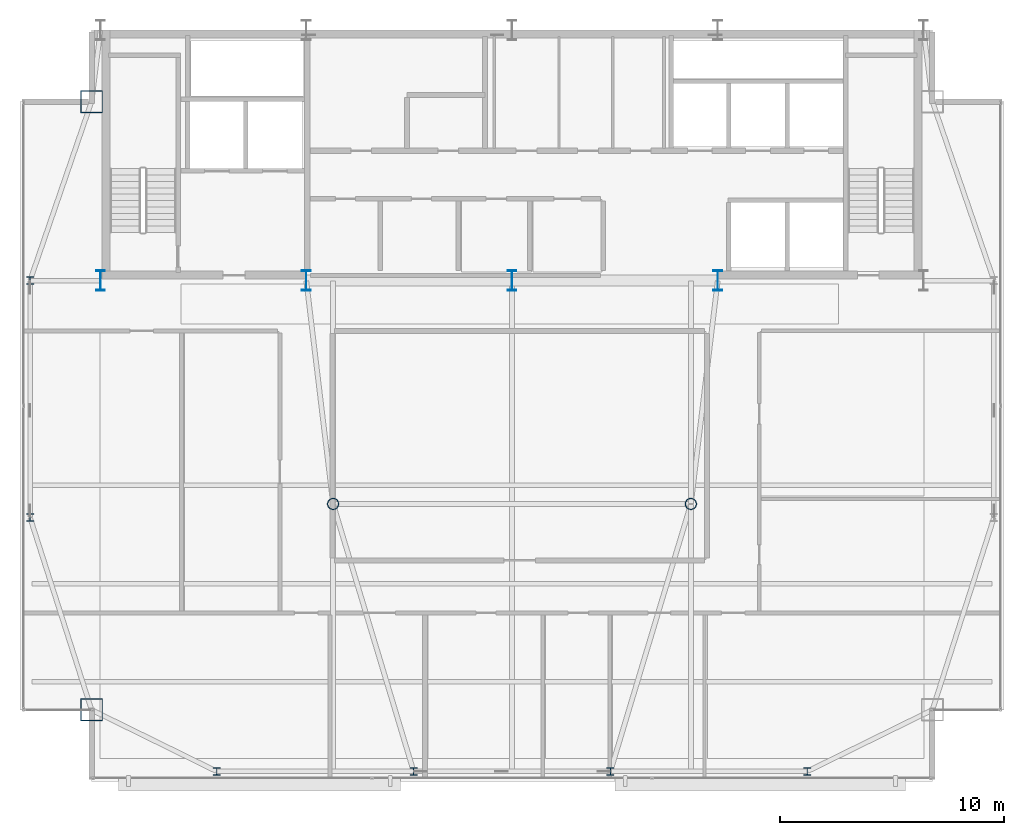
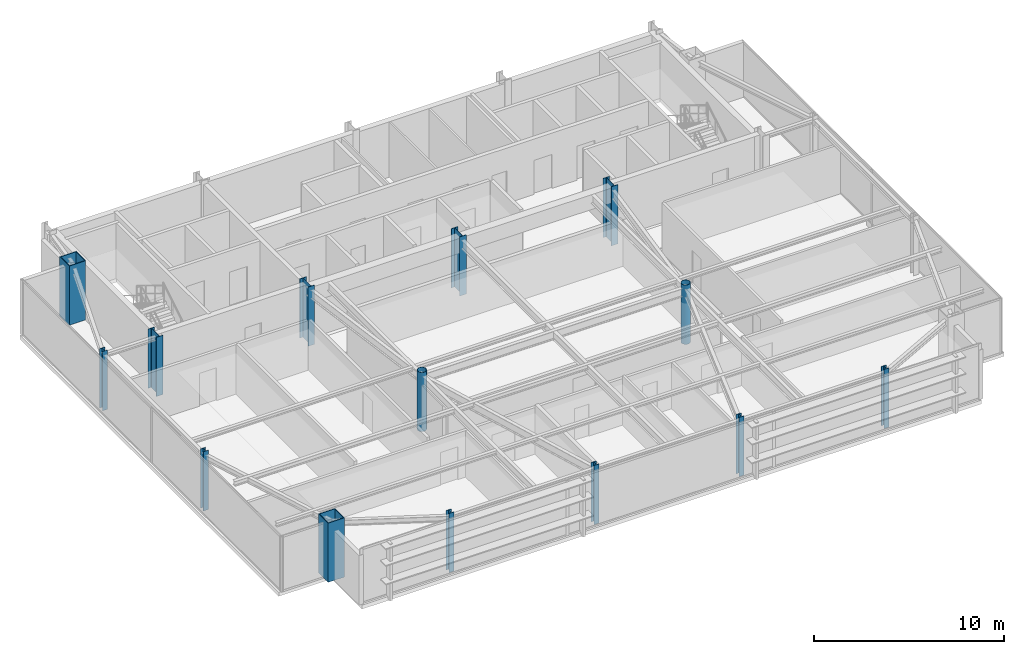
# One storey, part 1 of 24: 14 columns.
"""IFC4 building model written with IfcOpenShell, lengths in metres."""

from ifc_helpers import new_model, si_unit, direction, frame, origin, origin_2d, place, context, subcontext, project, spatial, hollow_rectangle, hollow_circle, i_section, extrude, source, transform, mapped, material, material_profile, profile_set, type_object, type_shapes, element, save


model = new_model("IFC4")

# Units and contexts
model_context = context("Model", 3, precision=1e-05, world=origin(), true_north=direction((0.0, 1.0)))
body_context = subcontext(model_context, "Body", "Model", "MODEL_VIEW")
ifc_project = project(units=[si_unit("LENGTHUNIT", "METRE"), si_unit("AREAUNIT", "SQUARE_METRE"), si_unit("VOLUMEUNIT", "CUBIC_METRE"), si_unit("PLANEANGLEUNIT", "RADIAN"), si_unit("MASSUNIT", "GRAM", prefix="KILO")], contexts=[model_context])

# Site, building, storey
site_placement = place(None, origin())
site = spatial("IfcSite", under=ifc_project, at=site_placement, CompositionType="ELEMENT")
building_placement = place(site_placement, origin())
building = spatial("IfcBuilding", under=site, at=building_placement, Name="Varnel Quay Broadcast Tower", CompositionType="ELEMENT")
storey_placement = place(building_placement, frame((0.0, 0.0, 292.60009765625)))
storey = spatial("IfcBuildingStorey", under=building, at=storey_placement, Name="L73", CompositionType="ELEMENT", Elevation=292.60009765625)

# Columns
ifc_material_1 = material(Name="Structural Steel CSA G40.21 350WT", Category="steel")
ifc_material_profile_1 = material_profile(ifc_material_1, i_section(OverallWidth=0.39990234375, OverallDepth=0.89990234375, WebThickness=0.01611328125, FlangeThickness=0.028076171875, FilletRadius=0.01611328125, at=origin_2d()), Name="WWF900X309")
ifc_profile_set_1 = profile_set([ifc_material_profile_1], Name="Structural Steel CSA G40.21 350WT")
column_type_1 = type_object("IfcColumnType", Name="Col_WWF900X309", PredefinedType="COLUMN", material=ifc_profile_set_1)
shared_shape_1 = source(origin(), body_context, "Body", "SweptSolid", [
    extrude(i_section(OverallWidth=0.39990234375, OverallDepth=0.89990234375, WebThickness=0.01611328125, FlangeThickness=0.028076171875, FilletRadius=0.01611328125, at=origin_2d()), origin(), (0.0, 0.0, 1.0), 3.7998046875),
])
type_shapes(column_type_1, [shared_shape_1])
for number, where, z_axis, x_axis, name in (
    (1, (15.60009765625, 35.60009765625, 0.0), (0.0, 0.0, 1.0), (1.0, 0.0, 0.0), "L73 Column CC-S1"),
    (2, (24.800048828125, 35.60009765625, 0.0), (0.0, 0.0, 1.0), (1.0, 0.0, 0.0), "L73 Column CC-S2"),
    (3, (34.0, 35.60009765625, 0.0), (0.0, 0.0, 1.0), (1.0, 0.0, 0.0), "L73 Column CC-S3"),
    (4, (43.199951171875, 35.60009765625, 0.0), (0.0, 0.0, 1.0), (1.0, 0.0, 0.0), "L73 Column CC-S4"),
):
    element("IfcColumn", number, at=place(storey_placement, frame(where, z_axis=z_axis, x_axis=x_axis)), inside=storey, type_object=column_type_1, Name=name, PredefinedType="COLUMN", context=body_context, shape_type="MappedRepresentation", body=[
        mapped(shared_shape_1, transform((0.0, 0.0, 0.0), x_axis=(1.0, 0.0, 0.0), y_axis=(0.0, 1.0, 0.0), z_axis=(0.0, 0.0, 1.0), scale=1.0)),
    ])
ifc_material_profile_2 = material_profile(ifc_material_1, hollow_rectangle(XDim=1.0, YDim=1.0, WallThickness=0.0400390625, at=origin_2d()), Name="BOX1000X1000X40")
ifc_profile_set_2 = profile_set([ifc_material_profile_2], Name="Structural Steel CSA G40.21 350WT")
column_type_2 = type_object("IfcColumnType", Name="Col_BOX1000X1000X40", PredefinedType="COLUMN", material=ifc_profile_set_2)
shared_shape_2 = source(origin(), body_context, "Body", "SweptSolid", [
    extrude(hollow_rectangle(XDim=1.0, YDim=1.0, WallThickness=0.0400390625, at=origin_2d()), origin(), (0.0, 0.0, 1.0), 3.7998046875),
])
type_shapes(column_type_2, [shared_shape_2])
for number, where, z_axis, x_axis, name in (
    (5, (15.199951171875, 16.39990234375, 0.0), (0.0, 0.0, 1.0), (1.0, 0.0, 0.0), "L73 Column MC-SW"),
    (6, (15.199951171875, 43.60009765625, 0.0), (0.0, 0.0, 1.0), (1.0, 0.0, 0.0), "L73 Column MC-NW"),
):
    element("IfcColumn", number, at=place(storey_placement, frame(where, z_axis=z_axis, x_axis=x_axis)), inside=storey, type_object=column_type_2, Name=name, PredefinedType="COLUMN", context=body_context, shape_type="MappedRepresentation", body=[
        mapped(shared_shape_2, transform((0.0, 0.0, 0.0), x_axis=(1.0, 0.0, 0.0), y_axis=(0.0, 1.0, 0.0), z_axis=(0.0, 0.0, 1.0), scale=1.0)),
    ])
ifc_material_2 = material(Name="Structural Steel CSA G40.21 350W", Category="steel")
ifc_material_profile_3 = material_profile(ifc_material_2, i_section(OverallWidth=0.30908203125, OverallDepth=0.322998046875, WebThickness=0.013916015625, FlangeThickness=0.02294921875, FilletRadius=0.014892578125, at=origin_2d()), Name="W310X143")
ifc_profile_set_3 = profile_set([ifc_material_profile_3], Name="Structural Steel CSA G40.21 350W")
column_type_3 = type_object("IfcColumnType", Name="Col_W310X143", PredefinedType="COLUMN", material=ifc_profile_set_3)
shared_shape_3 = source(origin(), body_context, "Body", "SweptSolid", [
    extrude(i_section(OverallWidth=0.30908203125, OverallDepth=0.322998046875, WebThickness=0.013916015625, FlangeThickness=0.02294921875, FilletRadius=0.014892578125, at=origin_2d()), origin(), (0.0, 0.0, 1.0), 3.7998046875),
])
type_shapes(column_type_3, [shared_shape_3])
for number, where, z_axis, x_axis, name in (
    (7, (20.800048828125, 13.64990234375, 0.0), (0.0, 0.0, 1.0), (1.0, 0.0, 0.0), "L73 Column TC-S1"),
    (8, (29.60009765625, 13.64990234375, 0.0), (0.0, 0.0, 1.0), (1.0, 0.0, 0.0), "L73 Column TC-S2"),
    (9, (38.39990234375, 13.64990234375, 0.0), (0.0, 0.0, 1.0), (1.0, 0.0, 0.0), "L73 Column TC-S3"),
    (10, (47.199951171875, 13.64990234375, 0.0), (0.0, 0.0, 1.0), (1.0, 0.0, 0.0), "L73 Column TC-S4"),
    (11, (12.449951171875, 25.0, 0.0), (0.0, 0.0, 1.0), (1.0, 0.0, 0.0), "L73 Column TC-W1"),
    (12, (12.449951171875, 35.60009765625, 0.0), (0.0, 0.0, 1.0), (1.0, 0.0, 0.0), "L73 Column TC-W2"),
):
    element("IfcColumn", number, at=place(storey_placement, frame(where, z_axis=z_axis, x_axis=x_axis)), inside=storey, type_object=column_type_3, Name=name, PredefinedType="COLUMN", context=body_context, shape_type="MappedRepresentation", body=[
        mapped(shared_shape_3, transform((0.0, 0.0, 0.0), x_axis=(1.0, 0.0, 0.0), y_axis=(0.0, 1.0, 0.0), z_axis=(0.0, 0.0, 1.0), scale=1.0)),
    ])
ifc_material_profile_4 = material_profile(ifc_material_2, hollow_circle(Radius=0.25390625, WallThickness=0.02001953125, at=origin_2d()), Name="CHS508X20")
ifc_profile_set_4 = profile_set([ifc_material_profile_4], Name="Structural Steel CSA G40.21 350W")
column_type_4 = type_object("IfcColumnType", Name="Col_CHS508X20", PredefinedType="COLUMN", material=ifc_profile_set_4)
shared_shape_4 = source(origin(), body_context, "Body", "SweptSolid", [
    extrude(hollow_circle(Radius=0.25390625, WallThickness=0.02001953125, at=origin_2d()), origin(), (0.0, 0.0, 1.0), 3.7998046875),
])
type_shapes(column_type_4, [shared_shape_4])
for number, where, z_axis, x_axis, name in (
    (13, (26.0, 25.610107421875, 0.0), (0.0, 0.0, 1.0), (1.0, 0.0, 0.0), "L73 Column IC-01"),
    (14, (42.0, 25.610107421875, 0.0), (0.0, 0.0, 1.0), (1.0, 0.0, 0.0), "L73 Column IC-02"),
):
    element("IfcColumn", number, at=place(storey_placement, frame(where, z_axis=z_axis, x_axis=x_axis)), inside=storey, type_object=column_type_4, Name=name, PredefinedType="COLUMN", context=body_context, shape_type="MappedRepresentation", body=[
        mapped(shared_shape_4, transform((0.0, 0.0, 0.0), x_axis=(1.0, 0.0, 0.0), y_axis=(0.0, 1.0, 0.0), z_axis=(0.0, 0.0, 1.0), scale=1.0)),
    ])

save(model, "model.ifc")
